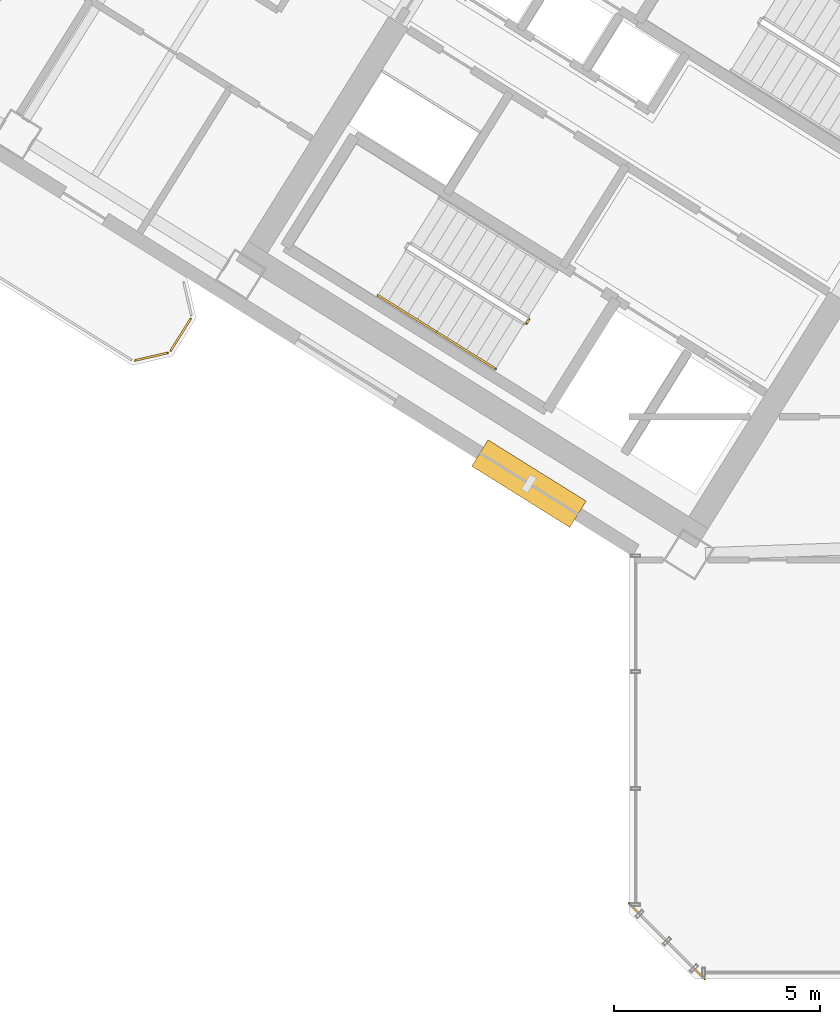
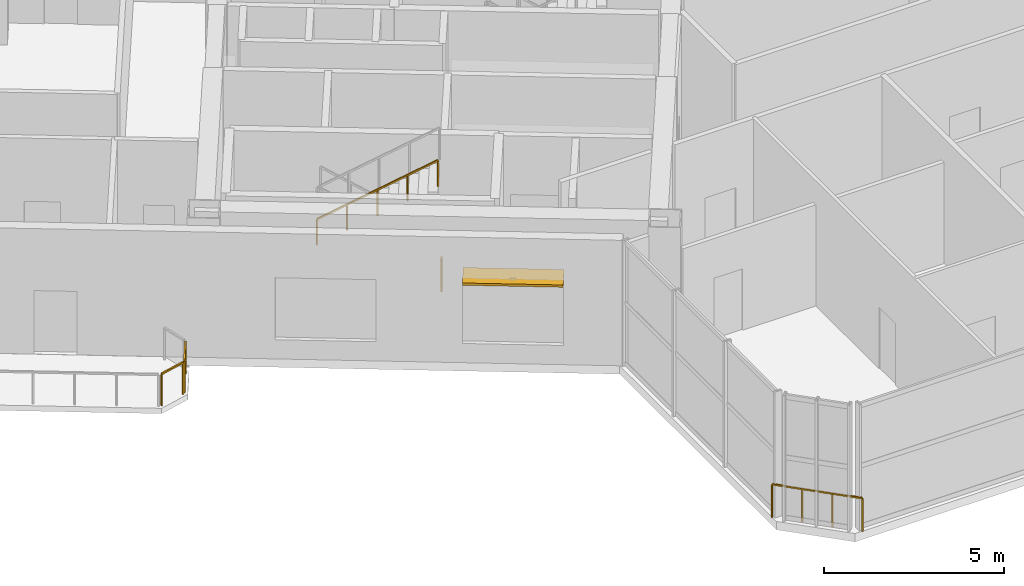
# One storey, part 17 of 21: 6 railings, 1 shading device.
"""IFC4 building model written with IfcOpenShell, lengths in metres."""

from ifc_helpers import new_model, si_unit, direction, frame, origin, origin_2d, place, context, subcontext, project, spatial, rectangle, extrude, source, transform, mapped, material, layer, layer_set, type_object, element, save


model = new_model("IFC4")

# Units and contexts
model_context = context("Model", 3, precision=1e-05, world=origin(), true_north=direction((0.0, 1.0)))
body_context = subcontext(model_context, "Body", "Model", "MODEL_VIEW")
ifc_project = project(units=[si_unit("LENGTHUNIT", "METRE"), si_unit("AREAUNIT", "SQUARE_METRE"), si_unit("VOLUMEUNIT", "CUBIC_METRE"), si_unit("PLANEANGLEUNIT", "RADIAN"), si_unit("MASSUNIT", "GRAM", prefix="KILO")], contexts=[model_context])

# Site, building, storey
site_placement = place(None, origin())
site = spatial("IfcSite", under=ifc_project, at=site_placement, CompositionType="ELEMENT")
building_placement = place(site_placement, origin())
building = spatial("IfcBuilding", under=site, at=building_placement, Name="Tlacorven Tower", CompositionType="ELEMENT")
storey_placement = place(building_placement, frame((0.0, 0.0, 100.800048828125)))
storey = spatial("IfcBuildingStorey", under=building, at=storey_placement, Name="L25", CompositionType="ELEMENT", Elevation=100.800048828125)

# Railings
ifc_material_1 = material(Name="Aluminium and painted steel balustrade", Category="steel")
railing_type_1 = type_object("IfcRailingType", Name="RL-BAL-1100", PredefinedType="BALUSTRADE", material=ifc_material_1)
shared_shape_1 = source(origin(), body_context, "Body", "SweptSolid", [
    extrude(rectangle(XDim=0.048095703125, YDim=0.048095703125, at=origin_2d()), frame((0.0, 0.0, 1.076171875), z_axis=(-0.52987865805, -0.848073468364, 0.0), x_axis=(0.848073468364, -0.52987865805, 0.0)), (0.0, 0.0, 1.0), 0.912353515625),
    extrude(rectangle(XDim=0.0419921875, YDim=0.0419921875, at=origin_2d()), origin(), (0.0, 0.0, 1.0), 1.052001953125),
    extrude(rectangle(XDim=0.0419921875, YDim=0.0419921875, at=origin_2d()), frame((-0.4833984375, -0.773681640625, 0.0)), (0.0, 0.0, 1.0), 1.052001953125),
])
railing_1_placement = place(storey_placement, frame((20.976318359375, 17.793701171875, 0.0)))
element("IfcRailing", 1, at=railing_1_placement, inside=storey, type_object=railing_type_1, Name="BAL-L25-W-OUT Guard Railing 2", PredefinedType="BALUSTRADE", context=body_context, shape_type="MappedRepresentation", body=[
    mapped(shared_shape_1, transform((0.0, 0.0, 0.0), scale=1.0)),
])
shared_shape_2 = source(origin(), body_context, "Body", "SweptSolid", [
    extrude(rectangle(XDim=0.048095703125, YDim=0.048095703125, at=origin_2d()), frame((0.0, 0.0, 1.076171875), z_axis=(-0.974345290916, -0.225058334816, 0.0), x_axis=(0.225058334816, -0.974345290916, 0.0)), (0.0, 0.0, 1.0), 0.80712890625),
    extrude(rectangle(XDim=0.0419921875, YDim=0.0419921875, at=origin_2d()), origin(), (0.0, 0.0, 1.0), 1.052001953125),
    extrude(rectangle(XDim=0.0419921875, YDim=0.0419921875, at=origin_2d()), frame((-0.786376953125, -0.181640625, 0.0)), (0.0, 0.0, 1.0), 1.052001953125),
])
railing_2_placement = place(storey_placement, frame((20.417724609375, 16.966552734375, 0.0)))
element("IfcRailing", 2, at=railing_2_placement, inside=storey, type_object=railing_type_1, Name="BAL-L25-W-OUT Guard Railing 3", PredefinedType="BALUSTRADE", context=body_context, shape_type="MappedRepresentation", body=[
    mapped(shared_shape_2, transform((0.0, 0.0, 0.0), scale=1.0)),
])
railing_type_2 = type_object("IfcRailingType", Name="RL-GRD-1150", PredefinedType="GUARDRAIL", material=ifc_material_1)
shared_shape_3 = source(origin(), body_context, "Body", "SweptSolid", [
    extrude(rectangle(XDim=0.048095703125, YDim=0.048095703125, at=origin_2d()), frame((0.0, 0.0, 1.1259765625), z_axis=(-0.707106781187, 0.707106781187, 0.0), x_axis=(-0.707106781187, -0.707106781187, 0.0)), (0.0, 0.0, 1.0), 2.590087890625),
    extrude(rectangle(XDim=0.0419921875, YDim=0.0419921875, at=origin_2d()), origin(), (0.0, 0.0, 1.0), 1.101806640625),
    extrude(rectangle(XDim=0.0419921875, YDim=0.0419921875, at=origin_2d()), frame((-0.610595703125, 0.610595703125, 0.0)), (0.0, 0.0, 1.0), 1.101806640625),
    extrude(rectangle(XDim=0.0419921875, YDim=0.0419921875, at=origin_2d()), frame((-1.220947265625, 1.220947265625, 0.0)), (0.0, 0.0, 1.0), 1.101806640625),
    extrude(rectangle(XDim=0.0419921875, YDim=0.0419921875, at=origin_2d()), frame((-1.83154296875, 1.83154296875, 0.0)), (0.0, 0.0, 1.0), 1.101806640625),
])
railing_3_placement = place(storey_placement, frame((33.428955078125, 1.79736328125, 0.0)))
element("IfcRailing", 3, at=railing_3_placement, inside=storey, type_object=railing_type_2, Name="L25 Knuckle Glazed Sill Guard 1", PredefinedType="GUARDRAIL", context=body_context, shape_type="MappedRepresentation", body=[
    mapped(shared_shape_3, transform((0.0, 0.0, 0.0), scale=1.0)),
])

# Shading device
ifc_material_2 = material(Name="Anodised bronze aluminium sunshade", Category="aluminium")
ifc_layer = layer(ifc_material_2, 0.080078125)
ifc_layer_set = layer_set([ifc_layer], Name="Anodised bronze aluminium sunshade")
shading_device_type = type_object("IfcShadingDeviceType", Name="SH-SUN-BRZ", PredefinedType="AWNING", material=ifc_layer_set)
shared_shape_4 = source(origin(), body_context, "Body", "SweptSolid", [
    extrude(rectangle(XDim=2.800048828125, YDim=0.75, at=origin_2d()), origin(), (0.0, 0.0, 1.0), 0.080078125),
])
shading_device_placement = place(storey_placement, frame((29.171630859375, 13.800537109375, 2.77001953125), z_axis=(0.0, 0.0, 1.0), x_axis=(-0.848048152806, 0.529919173576, 0.0)))
element("IfcShadingDevice", 4, at=shading_device_placement, inside=storey, type_object=shading_device_type, Name="L25 Solar Brise-Soleil Sunshade L25-01.1", PredefinedType="AWNING", context=body_context, shape_type="MappedRepresentation", body=[
    mapped(shared_shape_4, transform((0.0, 0.0, 0.0), scale=1.0)),
])

# Railings
railing_type_3 = type_object("IfcRailingType", Name="RL-GRD-1100", PredefinedType="GUARDRAIL", material=ifc_material_1)
shared_shape_5 = source(origin(), body_context, "Body", "SweptSolid", [
    extrude(rectangle(XDim=0.048095703125, YDim=0.048095703125, at=origin_2d()), frame((0.0, 0.0, 1.076171875), z_axis=(-0.529084052582, -0.848569422795, 0.0), x_axis=(0.848569422795, -0.529084052582, 0.0)), (0.0, 0.0, 1.0), 0.119873046875),
    extrude(rectangle(XDim=0.0419921875, YDim=0.0419921875, at=origin_2d()), origin(), (0.0, 0.0, 1.0), 1.052001953125),
    extrude(rectangle(XDim=0.0419921875, YDim=0.0419921875, at=origin_2d()), frame((-0.0634765625, -0.101806640625, 0.0)), (0.0, 0.0, 1.0), 1.052001953125),
])
railing_4_placement = place(storey_placement, frame((29.176513671875, 17.782958984375, 0.0)))
element("IfcRailing", 5, at=railing_4_placement, inside=storey, type_object=railing_type_3, Name="L25 ST-W1 stair guard 4", PredefinedType="GUARDRAIL", context=body_context, shape_type="MappedRepresentation", body=[
    mapped(shared_shape_5, transform((0.0, 0.0, 0.0), scale=1.0)),
])
railing_type_4 = type_object("IfcRailingType", Name="RL-HND-0900", PredefinedType="HANDRAIL", material=ifc_material_1)
shared_shape_6 = source(origin(), body_context, "Body", "SweptSolid", [
    extrude(rectangle(XDim=0.048095703125, YDim=0.048095703125, at=origin_2d()), frame((0.0, 0.0, 0.8759765625), z_axis=(0.721387654753, -0.450805479247, 0.525713107551), x_axis=(0.529946692594, 0.848030956397, 0.0)), (0.0, 0.0, 1.0), 1.97509765625),
    extrude(rectangle(XDim=0.0419921875, YDim=0.0419921875, at=origin_2d()), origin(), (0.0, 0.0, 1.0), 0.851806640625),
    extrude(rectangle(XDim=0.0419921875, YDim=0.0419921875, at=origin_2d()), frame((0.71240234375, -0.4453125, 0.51904296875)), (0.0, 0.0, 1.0), 0.851806640625),
    extrude(rectangle(XDim=0.0419921875, YDim=0.0419921875, at=origin_2d()), frame((1.4248046875, -0.890380859375, 1.038330078125)), (0.0, 0.0, 1.0), 0.851806640625),
])
railing_5_placement = place(storey_placement, frame((25.516357421875, 18.3603515625, 2.423095703125)))
element("IfcRailing", 6, at=railing_5_placement, inside=storey, type_object=railing_type_4, Name="L25 ST-W1 stair handrail 3", PredefinedType="HANDRAIL", context=body_context, shape_type="MappedRepresentation", body=[
    mapped(shared_shape_6, transform((0.0, 0.0, 0.0), scale=1.0)),
])
shared_shape_7 = source(origin(), body_context, "Body", "SweptSolid", [
    extrude(rectangle(XDim=0.048095703125, YDim=0.048095703125, at=origin_2d()), frame((0.0, 0.0, 0.8759765625), z_axis=(0.721321672373, -0.450717877887, 0.52587873081), x_axis=(0.529907487405, 0.848055455022, 0.0)), (0.0, 0.0, 1.0), 1.974853515625),
    extrude(rectangle(XDim=0.0419921875, YDim=0.0419921875, at=origin_2d()), origin(), (0.0, 0.0, 1.0), 0.851806640625),
    extrude(rectangle(XDim=0.0419921875, YDim=0.0419921875, at=origin_2d()), frame((0.71240234375, -0.445068359375, 0.519287109375)), (0.0, 0.0, 1.0), 0.851806640625),
    extrude(rectangle(XDim=0.0419921875, YDim=0.0419921875, at=origin_2d()), frame((1.424560546875, -0.89013671875, 1.03857421875)), (0.0, 0.0, 1.0), 0.851806640625),
])
railing_6_placement = place(storey_placement, frame((26.941162109375, 17.469970703125, 3.46142578125)))
element("IfcRailing", 7, at=railing_6_placement, inside=storey, type_object=railing_type_4, Name="L25 ST-W1 stair handrail 4", PredefinedType="HANDRAIL", context=body_context, shape_type="MappedRepresentation", body=[
    mapped(shared_shape_7, transform((0.0, 0.0, 0.0), scale=1.0)),
])

save(model, "model.ifc")
